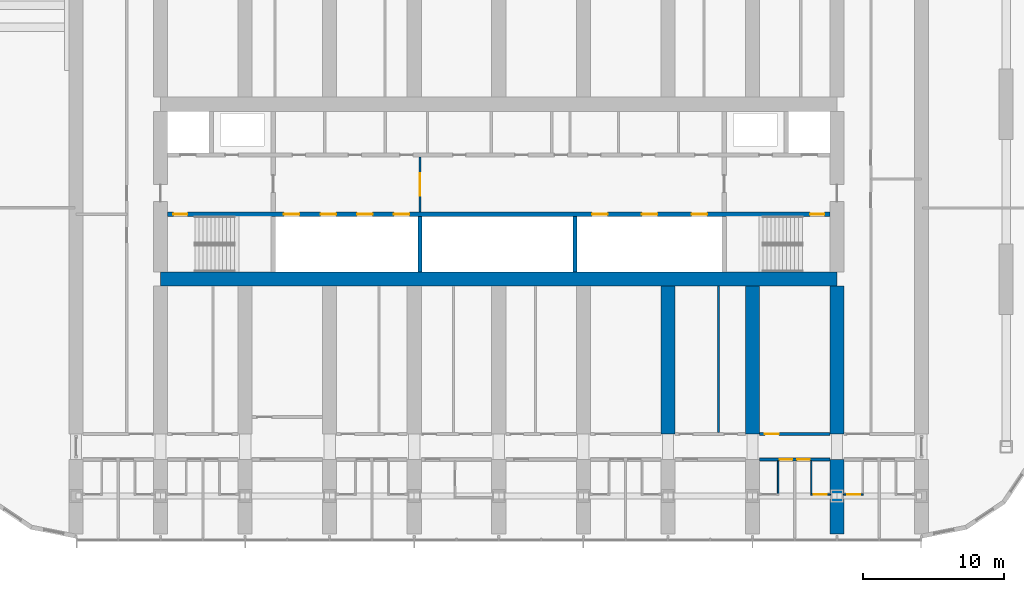
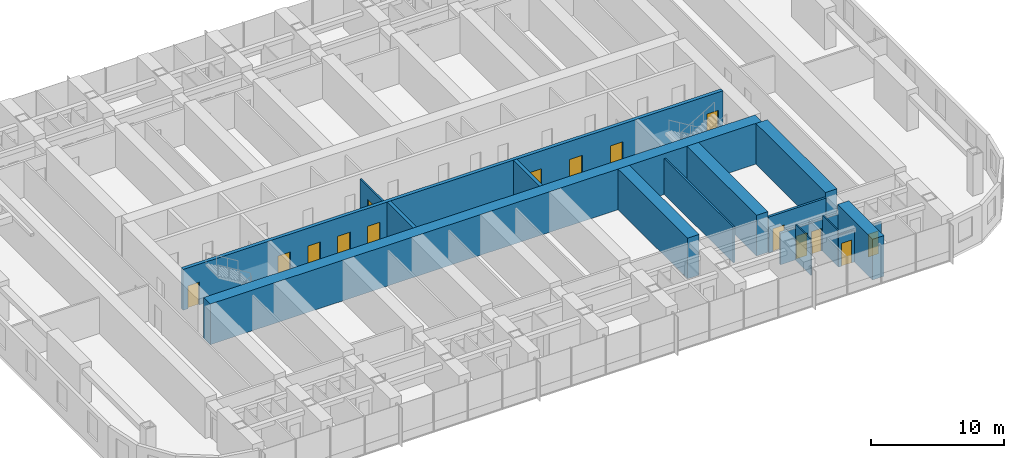
# One storey, part 13 of 24: 16 walls, 15 doors, 15 openings.
"""IFC4 building model written with IfcOpenShell, lengths in metres."""

from ifc_helpers import new_model, si_unit, direction, frame, frame_2d, origin, place, context, subcontext, project, spatial, polyline, rectangle, outline, extrude, material, layer, layer_set, type_object, element, fill, save


model = new_model("IFC4")

# Units and contexts
model_context = context("Model", 3, precision=1e-05, world=origin(), true_north=direction((0.0, 1.0)))
body_context = subcontext(model_context, "Body", "Model", "MODEL_VIEW")
ifc_project = project(units=[si_unit("LENGTHUNIT", "METRE"), si_unit("AREAUNIT", "SQUARE_METRE"), si_unit("VOLUMEUNIT", "CUBIC_METRE"), si_unit("PLANEANGLEUNIT", "RADIAN"), si_unit("MASSUNIT", "GRAM", prefix="KILO")], contexts=[model_context])

# Site, building, storey
site_placement = place(None, origin())
site = spatial("IfcSite", under=ifc_project, at=site_placement, CompositionType="ELEMENT")
building_placement = place(site_placement, origin())
building = spatial("IfcBuilding", under=site, at=building_placement, Name="Orbita Commons", CompositionType="ELEMENT")
storey_placement = place(building_placement, frame((0.0, 0.0, 20.199951171875)))
storey = spatial("IfcBuildingStorey", under=building, at=storey_placement, Name="L04", CompositionType="ELEMENT", Elevation=20.199951171875)

# Wall, openings, doors
ifc_material_1 = material(Name="Concrete C50/60", Category="concrete")
ifc_layer_1 = layer(ifc_material_1, 0.300048828125)
ifc_layer_set_1 = layer_set([ifc_layer_1], Name="Concrete C50/60")
wall_type_1 = type_object("IfcWallType", Name="Core inner wall 300 C50/60", PredefinedType="SHEAR", material=ifc_layer_set_1)
wall_1_placement = place(storey_placement, frame((18.5, 30.39990234375, 0.0), z_axis=(0.0, 0.0, 1.0), x_axis=(1.0, 0.0, 0.0)))
wall_1 = element("IfcWall", 1, at=wall_1_placement, inside=storey, type_object=wall_type_1, Name="Lobby wall south L04", PredefinedType="SHEAR", context=body_context, shape_type="SweptSolid", body=[
    extrude(rectangle(XDim=47.0, YDim=0.300048828125, at=frame_2d((23.5, 0.0))), origin(), (0.0, 0.0, 1.0), 3.75),
])
opening_1_placement = place(wall_1_placement, frame((0.39990234375, 0.0, 0.0)))
opening_1 = element("IfcOpeningElement", 2, at=opening_1_placement, cuts=wall_1, Name="Opening D02", PredefinedType="OPENING", context=body_context, shape_type="SweptSolid", body=[
    extrude(rectangle(XDim=1.0, YDim=2.10009765625, at=frame_2d((0.5, 1.050048828125))), frame((0.0, 0.159912109375, 0.0), z_axis=(0.0, -1.0, 0.0), x_axis=(1.0, 0.0, 0.0)), (0.0, 0.0, 1.0), 0.320068359375),
])
opening_2_placement = place(wall_1_placement, frame((45.60009765625, 0.0, 0.0)))
opening_2 = element("IfcOpeningElement", 3, at=opening_2_placement, cuts=wall_1, Name="Opening D02", PredefinedType="OPENING", context=body_context, shape_type="SweptSolid", body=[
    extrude(rectangle(XDim=1.0, YDim=2.10009765625, at=frame_2d((0.5, 1.050048828125))), frame((0.0, 0.159912109375, 0.0), z_axis=(0.0, -1.0, 0.0), x_axis=(1.0, 0.0, 0.0)), (0.0, 0.0, 1.0), 0.320068359375),
])
opening_3_placement = place(wall_1_placement, frame((8.25, 0.0, 0.0)))
opening_3 = element("IfcOpeningElement", 4, at=opening_3_placement, cuts=wall_1, Name="Opening LD02", PredefinedType="OPENING", context=body_context, shape_type="SweptSolid", body=[
    extrude(rectangle(XDim=1.10009765625, YDim=2.10009765625, at=frame_2d((0.550048828125, 1.050048828125))), frame((0.0, 0.159912109375, 0.0), z_axis=(0.0, -1.0, 0.0), x_axis=(1.0, 0.0, 0.0)), (0.0, 0.0, 1.0), 0.320068359375),
])
opening_4_placement = place(wall_1_placement, frame((10.85009765625, 0.0, 0.0)))
opening_4 = element("IfcOpeningElement", 5, at=opening_4_placement, cuts=wall_1, Name="Opening LD02", PredefinedType="OPENING", context=body_context, shape_type="SweptSolid", body=[
    extrude(rectangle(XDim=1.10009765625, YDim=2.10009765625, at=frame_2d((0.550048828125, 1.050048828125))), frame((0.0, 0.159912109375, 0.0), z_axis=(0.0, -1.0, 0.0), x_axis=(1.0, 0.0, 0.0)), (0.0, 0.0, 1.0), 0.320068359375),
])
opening_5_placement = place(wall_1_placement, frame((13.449951171875, 0.0, 0.0)))
opening_5 = element("IfcOpeningElement", 6, at=opening_5_placement, cuts=wall_1, Name="Opening LD02", PredefinedType="OPENING", context=body_context, shape_type="SweptSolid", body=[
    extrude(rectangle(XDim=1.10009765625, YDim=2.10009765625, at=frame_2d((0.550048828125, 1.050048828125))), frame((0.0, 0.159912109375, 0.0), z_axis=(0.0, -1.0, 0.0), x_axis=(1.0, 0.0, 0.0)), (0.0, 0.0, 1.0), 0.320068359375),
])
opening_6_placement = place(wall_1_placement, frame((16.050048828125, 0.0, 0.0)))
opening_6 = element("IfcOpeningElement", 7, at=opening_6_placement, cuts=wall_1, Name="Opening LD02", PredefinedType="OPENING", context=body_context, shape_type="SweptSolid", body=[
    extrude(rectangle(XDim=1.10009765625, YDim=2.10009765625, at=frame_2d((0.550048828125, 1.050048828125))), frame((0.0, 0.159912109375, 0.0), z_axis=(0.0, -1.0, 0.0), x_axis=(1.0, 0.0, 0.0)), (0.0, 0.0, 1.0), 0.320068359375),
])
opening_7_placement = place(wall_1_placement, frame((30.11669921875, 0.0, 0.0)))
opening_7 = element("IfcOpeningElement", 8, at=opening_7_placement, cuts=wall_1, Name="Opening LD02", PredefinedType="OPENING", context=body_context, shape_type="SweptSolid", body=[
    extrude(rectangle(XDim=1.10009765625, YDim=2.10009765625, at=frame_2d((0.550048828125, 1.050048828125))), frame((0.0, 0.159912109375, 0.0), z_axis=(0.0, -1.0, 0.0), x_axis=(1.0, 0.0, 0.0)), (0.0, 0.0, 1.0), 0.320068359375),
])
opening_8_placement = place(wall_1_placement, frame((33.64990234375, 0.0, 0.0)))
opening_8 = element("IfcOpeningElement", 9, at=opening_8_placement, cuts=wall_1, Name="Opening LD02", PredefinedType="OPENING", context=body_context, shape_type="SweptSolid", body=[
    extrude(rectangle(XDim=1.10009765625, YDim=2.10009765625, at=frame_2d((0.550048828125, 1.050048828125))), frame((0.0, 0.159912109375, 0.0), z_axis=(0.0, -1.0, 0.0), x_axis=(1.0, 0.0, 0.0)), (0.0, 0.0, 1.0), 0.320068359375),
])
opening_9_placement = place(wall_1_placement, frame((37.183349609375, 0.0, 0.0)))
opening_9 = element("IfcOpeningElement", 10, at=opening_9_placement, cuts=wall_1, Name="Opening LD02", PredefinedType="OPENING", context=body_context, shape_type="SweptSolid", body=[
    extrude(rectangle(XDim=1.10009765625, YDim=2.10009765625, at=frame_2d((0.550048828125, 1.050048828125))), frame((0.0, 0.159912109375, 0.0), z_axis=(0.0, -1.0, 0.0), x_axis=(1.0, 0.0, 0.0)), (0.0, 0.0, 1.0), 0.320068359375),
])
ifc_material_2 = material(Name="Steel-faced fire door leaf", Category="steel")
door_type_1 = type_object("IfcDoorType", Name="Fire door 90 min 1000x2100", OperationType="SINGLE_SWING_LEFT", PredefinedType="DOOR", material=ifc_material_2)
door_1_placement = place(opening_1_placement, origin())
door_1 = element("IfcDoor", 11, at=door_1_placement, inside=storey, type_object=door_type_1, Name="Stair S1 door", OperationType="SINGLE_SWING_LEFT", OverallHeight=2.10009765625, OverallWidth=1.0, PredefinedType="DOOR", context=body_context, shape_type="SweptSolid", body=[
    extrude(rectangle(XDim=1.0, YDim=2.10009765625, at=frame_2d((0.5, 1.050048828125))), frame((0.0, 0.02490234375, 0.0), z_axis=(0.0, -1.0, 0.0), x_axis=(1.0, 0.0, 0.0)), (0.0, 0.0, 1.0), 0.050048828125),
])
fill(opening_1, door_1)
door_2_placement = place(opening_2_placement, origin())
door_2 = element("IfcDoor", 12, at=door_2_placement, inside=storey, type_object=door_type_1, Name="Stair S2 door", OperationType="SINGLE_SWING_LEFT", OverallHeight=2.10009765625, OverallWidth=1.0, PredefinedType="DOOR", context=body_context, shape_type="SweptSolid", body=[
    extrude(rectangle(XDim=1.0, YDim=2.10009765625, at=frame_2d((0.5, 1.050048828125))), frame((0.0, 0.02490234375, 0.0), z_axis=(0.0, -1.0, 0.0), x_axis=(1.0, 0.0, 0.0)), (0.0, 0.0, 1.0), 0.050048828125),
])
fill(opening_2, door_2)
ifc_material_3 = material(Name="Steel-faced fire door leaf", Category="steel")
door_type_2 = type_object("IfcDoorType", Name="Lift landing door 1100x2100", OperationType="DOUBLE_DOOR_SLIDING", PredefinedType="DOOR", material=ifc_material_3)
door_3_placement = place(opening_3_placement, origin())
door_3 = element("IfcDoor", 13, at=door_3_placement, inside=storey, type_object=door_type_2, Name="Lift P11 landing door", OperationType="DOUBLE_DOOR_SLIDING", OverallHeight=2.10009765625, OverallWidth=1.10009765625, PredefinedType="DOOR", context=body_context, shape_type="SweptSolid", body=[
    extrude(rectangle(XDim=1.10009765625, YDim=2.10009765625, at=frame_2d((0.550048828125, 1.050048828125))), frame((0.0, 0.02490234375, 0.0), z_axis=(0.0, -1.0, 0.0), x_axis=(1.0, 0.0, 0.0)), (0.0, 0.0, 1.0), 0.050048828125),
])
fill(opening_3, door_3)
door_4_placement = place(opening_4_placement, origin())
door_4 = element("IfcDoor", 14, at=door_4_placement, inside=storey, type_object=door_type_2, Name="Lift P12 landing door", OperationType="DOUBLE_DOOR_SLIDING", OverallHeight=2.10009765625, OverallWidth=1.10009765625, PredefinedType="DOOR", context=body_context, shape_type="SweptSolid", body=[
    extrude(rectangle(XDim=1.10009765625, YDim=2.10009765625, at=frame_2d((0.550048828125, 1.050048828125))), frame((0.0, 0.02490234375, 0.0), z_axis=(0.0, -1.0, 0.0), x_axis=(1.0, 0.0, 0.0)), (0.0, 0.0, 1.0), 0.050048828125),
])
fill(opening_4, door_4)
door_5_placement = place(opening_5_placement, origin())
door_5 = element("IfcDoor", 15, at=door_5_placement, inside=storey, type_object=door_type_2, Name="Lift P13 landing door", OperationType="DOUBLE_DOOR_SLIDING", OverallHeight=2.10009765625, OverallWidth=1.10009765625, PredefinedType="DOOR", context=body_context, shape_type="SweptSolid", body=[
    extrude(rectangle(XDim=1.10009765625, YDim=2.10009765625, at=frame_2d((0.550048828125, 1.050048828125))), frame((0.0, 0.02490234375, 0.0), z_axis=(0.0, -1.0, 0.0), x_axis=(1.0, 0.0, 0.0)), (0.0, 0.0, 1.0), 0.050048828125),
])
fill(opening_5, door_5)
door_6_placement = place(opening_6_placement, origin())
door_6 = element("IfcDoor", 16, at=door_6_placement, inside=storey, type_object=door_type_2, Name="Lift P14 landing door", OperationType="DOUBLE_DOOR_SLIDING", OverallHeight=2.10009765625, OverallWidth=1.10009765625, PredefinedType="DOOR", context=body_context, shape_type="SweptSolid", body=[
    extrude(rectangle(XDim=1.10009765625, YDim=2.10009765625, at=frame_2d((0.550048828125, 1.050048828125))), frame((0.0, 0.02490234375, 0.0), z_axis=(0.0, -1.0, 0.0), x_axis=(1.0, 0.0, 0.0)), (0.0, 0.0, 1.0), 0.050048828125),
])
fill(opening_6, door_6)
door_7_placement = place(opening_7_placement, origin())
door_7 = element("IfcDoor", 17, at=door_7_placement, inside=storey, type_object=door_type_2, Name="Lift SV1 landing door", OperationType="DOUBLE_DOOR_SLIDING", OverallHeight=2.10009765625, OverallWidth=1.10009765625, PredefinedType="DOOR", context=body_context, shape_type="SweptSolid", body=[
    extrude(rectangle(XDim=1.10009765625, YDim=2.10009765625, at=frame_2d((0.550048828125, 1.050048828125))), frame((0.0, 0.02490234375, 0.0), z_axis=(0.0, -1.0, 0.0), x_axis=(1.0, 0.0, 0.0)), (0.0, 0.0, 1.0), 0.050048828125),
])
fill(opening_7, door_7)
door_8_placement = place(opening_8_placement, origin())
door_8 = element("IfcDoor", 18, at=door_8_placement, inside=storey, type_object=door_type_2, Name="Lift SV2 landing door", OperationType="DOUBLE_DOOR_SLIDING", OverallHeight=2.10009765625, OverallWidth=1.10009765625, PredefinedType="DOOR", context=body_context, shape_type="SweptSolid", body=[
    extrude(rectangle(XDim=1.10009765625, YDim=2.10009765625, at=frame_2d((0.550048828125, 1.050048828125))), frame((0.0, 0.02490234375, 0.0), z_axis=(0.0, -1.0, 0.0), x_axis=(1.0, 0.0, 0.0)), (0.0, 0.0, 1.0), 0.050048828125),
])
fill(opening_8, door_8)
door_9_placement = place(opening_9_placement, origin())
door_9 = element("IfcDoor", 19, at=door_9_placement, inside=storey, type_object=door_type_2, Name="Lift SV3 landing door", OperationType="DOUBLE_DOOR_SLIDING", OverallHeight=2.10009765625, OverallWidth=1.10009765625, PredefinedType="DOOR", context=body_context, shape_type="SweptSolid", body=[
    extrude(rectangle(XDim=1.10009765625, YDim=2.10009765625, at=frame_2d((0.550048828125, 1.050048828125))), frame((0.0, 0.02490234375, 0.0), z_axis=(0.0, -1.0, 0.0), x_axis=(1.0, 0.0, 0.0)), (0.0, 0.0, 1.0), 0.050048828125),
])
fill(opening_9, door_9)

# Walls
for number, where, z_axis, x_axis, name in (
    (20, (36.39990234375, 26.300048828125, 0.0), (0.0, 0.0, 1.0), (0.0, 1.0, 0.0), "Hoistway division wall L04"),
    (21, (47.39990234375, 26.300048828125, 0.0), (0.0, 0.0, 1.0), (0.0, 1.0, 0.0), "Hoistway division wall L04"),
):
    element("IfcWall", number, at=place(storey_placement, frame(where, z_axis=z_axis, x_axis=x_axis)), inside=storey, type_object=wall_type_1, Name=name, PredefinedType="SHEAR", context=body_context, shape_type="SweptSolid", body=[
        extrude(rectangle(XDim=3.949951171875, YDim=0.300048828125, at=frame_2d((1.97509765625, 0.0))), origin(), (0.0, 0.0, 1.0), 3.75),
    ])

# Wall, opening, door
ifc_material_4 = material(Name="Concrete blockwork", Category="masonry")
ifc_layer_2 = layer(ifc_material_4, 0.14990234375)
ifc_layer_set_2 = layer_set([ifc_layer_2], Name="Concrete blockwork")
wall_type_2 = type_object("IfcWallType", Name="Core partition 150 blockwork", PredefinedType="SOLIDWALL", material=ifc_layer_set_2)
wall_2_placement = place(storey_placement, frame((36.39990234375, 30.550048828125, 0.0), z_axis=(0.0, 0.0, 1.0), x_axis=(0.0, 1.0, 0.0)))
wall_2 = element("IfcWall", 22, at=wall_2_placement, inside=storey, type_object=wall_type_2, Name="Core partition 150 blockwork L04", PredefinedType="SOLIDWALL", context=body_context, shape_type="SweptSolid", body=[
    extrude(rectangle(XDim=3.89990234375, YDim=0.14990234375, at=frame_2d((1.949951171875, 0.0))), origin(), (0.0, 0.0, 1.0), 3.300048828125),
])
opening_10_placement = place(wall_2_placement, frame((1.14990234375, 0.0, 0.0)))
opening_10 = element("IfcOpeningElement", 23, at=opening_10_placement, cuts=wall_2, Name="Opening D10", PredefinedType="OPENING", context=body_context, shape_type="SweptSolid", body=[
    extrude(rectangle(XDim=1.60009765625, YDim=2.10009765625, at=frame_2d((0.800048828125, 1.050048828125))), frame((0.0, 0.0849609375, 0.0), z_axis=(0.0, -1.0, 0.0), x_axis=(1.0, 0.0, 0.0)), (0.0, 0.0, 1.0), 0.169921875),
])
ifc_material_5 = material(Name="Steel-faced fire door leaf", Category="steel")
door_type_3 = type_object("IfcDoorType", Name="Double corridor door 20 min 1600x2100", OperationType="DOUBLE_DOOR_SINGLE_SWING", PredefinedType="DOOR", material=ifc_material_5)
door_10_placement = place(opening_10_placement, origin())
door_10 = element("IfcDoor", 24, at=door_10_placement, inside=storey, type_object=door_type_3, Name="Lift lobby screen doors", OperationType="DOUBLE_DOOR_SINGLE_SWING", OverallHeight=2.10009765625, OverallWidth=1.60009765625, PredefinedType="DOOR", context=body_context, shape_type="SweptSolid", body=[
    extrude(rectangle(XDim=1.60009765625, YDim=2.10009765625, at=frame_2d((0.800048828125, 1.050048828125))), frame((0.0, 0.02490234375, 0.0), z_axis=(0.0, -1.0, 0.0), x_axis=(1.0, 0.0, 0.0)), (0.0, 0.0, 1.0), 0.050048828125),
])
fill(opening_10, door_10)

# Wall
ifc_material_6 = material(Name="Concrete C50/60", Category="concrete")
ifc_layer_3 = layer(ifc_material_6, 1.0)
ifc_layer_set_3 = layer_set([ifc_layer_3], Name="Concrete C50/60")
wall_type_3 = type_object("IfcWallType", Name="Core wall 1000 C50/60", PredefinedType="SHEAR", material=ifc_layer_set_3)
wall_3_placement = place(storey_placement, frame((18.0, 25.800048828125, 0.0), z_axis=(0.0, 0.0, 1.0), x_axis=(1.0, 0.0, 0.0)))
element("IfcWall", 25, at=wall_3_placement, inside=storey, type_object=wall_type_3, Name="Core spine wall south L04", PredefinedType="SHEAR", context=body_context, shape_type="SweptSolid", body=[
    extrude(rectangle(XDim=48.0, YDim=1.0, at=frame_2d((24.0, 0.0))), origin(), (0.0, 0.0, 1.0), 3.75),
])

# Wall, openings, doors
ifc_material_7 = material(Name="Concrete blockwork", Category="masonry")
ifc_layer_4 = layer(ifc_material_7, 0.199951171875)
ifc_layer_set_4 = layer_set([ifc_layer_4], Name="Concrete blockwork")
wall_type_4 = type_object("IfcWallType", Name="Corridor wall 200 blockwork", PredefinedType="SOLIDWALL", material=ifc_layer_set_4)
wall_4_placement = place(storey_placement, frame((60.5, 13.0, 0.0), z_axis=(0.0, 0.0, 1.0), x_axis=(1.0, 0.0, 0.0)))
wall_4 = element("IfcWall", 26, at=wall_4_placement, inside=storey, type_object=wall_type_4, Name="Corridor wall 200 blockwork L04", PredefinedType="SOLIDWALL", context=body_context, shape_type="SweptSolid", body=[
    extrude(outline(polyline([(0.0, 0.0), (5.0, 0.0), (5.0, 2.900146484375), (0.0, 2.900146484375), (0.0, 0.0)])), frame((0.0, 0.10009765625, 0.0), z_axis=(0.0, -1.0, 0.0), x_axis=(1.0, 0.0, 0.0)), (0.0, 0.0, 1.0), 0.199951171875),
])
opening_11_placement = place(wall_4_placement, frame((1.425048828125, 0.0, 0.0)))
opening_11 = element("IfcOpeningElement", 27, at=opening_11_placement, cuts=wall_4, Name="Opening D11", PredefinedType="OPENING", context=body_context, shape_type="SweptSolid", body=[
    extrude(rectangle(XDim=0.89990234375, YDim=2.10009765625, at=frame_2d((0.449951171875, 1.050048828125))), frame((0.0, 0.10986328125, 0.0), z_axis=(0.0, -1.0, 0.0), x_axis=(1.0, 0.0, 0.0)), (0.0, 0.0, 1.0), 0.219970703125),
])
opening_12_placement = place(wall_4_placement, frame((2.675048828125, 0.0, 0.0)))
opening_12 = element("IfcOpeningElement", 28, at=opening_12_placement, cuts=wall_4, Name="Opening D11", PredefinedType="OPENING", context=body_context, shape_type="SweptSolid", body=[
    extrude(rectangle(XDim=0.89990234375, YDim=2.10009765625, at=frame_2d((0.449951171875, 1.050048828125))), frame((0.0, 0.10986328125, 0.0), z_axis=(0.0, -1.0, 0.0), x_axis=(1.0, 0.0, 0.0)), (0.0, 0.0, 1.0), 0.219970703125),
])
ifc_material_8 = material(Name="Steel-faced fire door leaf", Category="steel")
door_type_4 = type_object("IfcDoorType", Name="Corridor door 20 min 900x2100", OperationType="SINGLE_SWING_LEFT", PredefinedType="DOOR", material=ifc_material_8)
door_11_placement = place(opening_11_placement, origin())
door_11 = element("IfcDoor", 29, at=door_11_placement, inside=storey, type_object=door_type_4, Name="House bedroom L04-S16 door", OperationType="SINGLE_SWING_LEFT", OverallHeight=2.10009765625, OverallWidth=0.89990234375, PredefinedType="DOOR", context=body_context, shape_type="SweptSolid", body=[
    extrude(rectangle(XDim=0.89990234375, YDim=2.10009765625, at=frame_2d((0.449951171875, 1.050048828125))), frame((0.0, 0.02490234375, 0.0), z_axis=(0.0, -1.0, 0.0), x_axis=(1.0, 0.0, 0.0)), (0.0, 0.0, 1.0), 0.050048828125),
])
fill(opening_11, door_11)
door_12_placement = place(opening_12_placement, origin())
door_12 = element("IfcDoor", 30, at=door_12_placement, inside=storey, type_object=door_type_4, Name="House bedroom L04-S17 door", OperationType="SINGLE_SWING_LEFT", OverallHeight=2.10009765625, OverallWidth=0.89990234375, PredefinedType="DOOR", context=body_context, shape_type="SweptSolid", body=[
    extrude(rectangle(XDim=0.89990234375, YDim=2.10009765625, at=frame_2d((0.449951171875, 1.050048828125))), frame((0.0, 0.02490234375, 0.0), z_axis=(0.0, -1.0, 0.0), x_axis=(1.0, 0.0, 0.0)), (0.0, 0.0, 1.0), 0.050048828125),
])
fill(opening_12, door_12)

# Wall, opening, door
ifc_material_9 = material(Name="Hollow concrete block 200", Category="concrete")
ifc_layer_5 = layer(ifc_material_9, 0.199951171875)
ifc_layer_set_5 = layer_set([ifc_layer_5], Name="Hollow concrete block 200")
wall_type_5 = type_object("IfcWallType", Name="Corridor wall 200 hollow concrete block", PredefinedType="SOLIDWALL", material=ifc_layer_set_5)
wall_5_placement = place(storey_placement, frame((60.5, 14.800048828125, 0.0), z_axis=(0.0, 0.0, 1.0), x_axis=(1.0, 0.0, 0.0)))
wall_5 = element("IfcWall", 31, at=wall_5_placement, inside=storey, type_object=wall_type_5, Name="Corridor wall 200 hollow concrete block L04", PredefinedType="SOLIDWALL", context=body_context, shape_type="SweptSolid", body=[
    extrude(rectangle(XDim=5.0, YDim=0.199951171875, at=frame_2d((2.5, 0.0))), origin(), (0.0, 0.0, 1.0), 3.300048828125),
])
opening_13_placement = place(wall_5_placement, frame((0.375, 0.0, 0.0)))
opening_13 = element("IfcOpeningElement", 32, at=opening_13_placement, cuts=wall_5, Name="Opening D06", PredefinedType="OPENING", context=body_context, shape_type="SweptSolid", body=[
    extrude(rectangle(XDim=1.0, YDim=2.10009765625, at=frame_2d((0.5, 1.050048828125))), frame((0.0, 0.10986328125, 0.0), z_axis=(0.0, -1.0, 0.0), x_axis=(1.0, 0.0, 0.0)), (0.0, 0.0, 1.0), 0.219970703125),
])
ifc_material_10 = material(Name="Steel-faced fire door leaf", Category="steel")
door_type_5 = type_object("IfcDoorType", Name="Corridor door 20 min 1000x2100", OperationType="SINGLE_SWING_LEFT", PredefinedType="DOOR", material=ifc_material_10)
door_13_placement = place(opening_13_placement, origin())
door_13 = element("IfcDoor", 33, at=door_13_placement, inside=storey, type_object=door_type_5, Name="Storage lockers L04-BDS60 door", OperationType="SINGLE_SWING_LEFT", OverallHeight=2.10009765625, OverallWidth=1.0, PredefinedType="DOOR", context=body_context, shape_type="SweptSolid", body=[
    extrude(rectangle(XDim=1.0, YDim=2.10009765625, at=frame_2d((0.5, 1.050048828125))), frame((0.0, 0.02490234375, 0.0), z_axis=(0.0, -1.0, 0.0), x_axis=(1.0, 0.0, 0.0)), (0.0, 0.0, 1.0), 0.050048828125),
])
fill(opening_13, door_13)

# Walls
ifc_material_11 = material(Name="Concrete C50/60", Category="concrete")
ifc_layer_6 = layer(ifc_material_11, 1.0)
ifc_layer_set_6 = layer_set([ifc_layer_6], Name="Concrete C50/60")
wall_type_6 = type_object("IfcWallType", Name="Cross wall 1000 C50/60", PredefinedType="SHEAR", material=ifc_layer_set_6)
for number, where, z_axis, x_axis, name in (
    (34, (54.0, 14.800048828125, 0.0), (0.0, 0.0, 1.0), (0.0, 1.0, 0.0), "Cross wall 10 south inner L04"),
    (35, (60.0, 14.800048828125, 0.0), (0.0, 0.0, 1.0), (0.0, 1.0, 0.0), "Cross wall 11 south inner L04"),
):
    element("IfcWall", number, at=place(storey_placement, frame(where, z_axis=z_axis, x_axis=x_axis)), inside=storey, type_object=wall_type_6, Name=name, PredefinedType="SHEAR", context=body_context, shape_type="SweptSolid", body=[
        extrude(rectangle(XDim=10.5, YDim=1.0, at=frame_2d((5.25, 0.0))), origin(), (0.0, 0.0, 1.0), 3.75),
    ])
wall_6_placement = place(storey_placement, frame((66.0, 7.699951171875, 0.0), z_axis=(0.0, 0.0, 1.0), x_axis=(0.0, 1.0, 0.0)))
element("IfcWall", 36, at=wall_6_placement, inside=storey, type_object=wall_type_6, Name="Cross wall 12 south outer L04", PredefinedType="SHEAR", context=body_context, shape_type="SweptSolid", body=[
    extrude(rectangle(XDim=5.300048828125, YDim=1.0, at=frame_2d((2.64990234375, 0.0))), origin(), (0.0, 0.0, 1.0), 3.75),
])
wall_7_placement = place(storey_placement, frame((66.0, 14.800048828125, 0.0), z_axis=(0.0, 0.0, 1.0), x_axis=(0.0, 1.0, 0.0)))
element("IfcWall", 37, at=wall_7_placement, inside=storey, type_object=wall_type_6, Name="Cross wall 12 south inner L04", PredefinedType="SHEAR", context=body_context, shape_type="SweptSolid", body=[
    extrude(rectangle(XDim=10.5, YDim=1.0, at=frame_2d((5.25, 0.0))), origin(), (0.0, 0.0, 1.0), 3.75),
])
ifc_material_12 = material(Name="Moisture-resistant plasterboard on steel studs", Category="steel")
ifc_layer_7 = layer(ifc_material_12, 0.10009765625)
ifc_layer_set_7 = layer_set([ifc_layer_7], Name="Moisture-resistant plasterboard on steel studs")
wall_type_7 = type_object("IfcWallType", Name="En-suite partition 100", PredefinedType="PARTITIONING", material=ifc_layer_set_7)
wall_8_placement = place(storey_placement, frame((61.824951171875, 10.550048828125, 0.0), z_axis=(0.0, 0.0, 1.0), x_axis=(0.0, 1.0, 0.0)))
element("IfcWall", 38, at=wall_8_placement, inside=storey, type_object=wall_type_7, Name="En-suite partition 100 L04", PredefinedType="PARTITIONING", context=body_context, shape_type="SweptSolid", body=[
    extrude(outline(polyline([(0.0, 0.0), (2.349853515625, 0.0), (2.35009765625, 2.900146484375), (2.302001953125, 2.900146484375), (2.300048828125, 3.300048828125), (0.052001953125, 3.300048828125), (0.050048828125, 2.900146484375), (0.0, 2.900146484375), (0.0, 0.0)])), frame((0.0, 0.050048828125, 0.0), z_axis=(0.0, -1.0, 0.0), x_axis=(1.0, 0.0, 0.0)), (0.0, 0.0, 1.0), 0.10009765625),
])

# Wall, opening, door
wall_9_placement = place(storey_placement, frame((65.550048828125, 10.5, 0.0), z_axis=(0.0, 0.0, 1.0), x_axis=(-1.0, 0.0, 0.0)))
wall_9 = element("IfcWall", 39, at=wall_9_placement, inside=storey, type_object=wall_type_7, Name="En-suite partition 100 L04", PredefinedType="PARTITIONING", context=body_context, shape_type="SweptSolid", body=[
    extrude(outline(polyline([(0.0, 0.0), (1.425048828125, 0.0), (1.425048828125, 2.900146484375), (0.0, 2.900146484375), (0.0, 0.0)])), frame((0.0, 0.050048828125, 0.0), z_axis=(0.0, -1.0, 0.0), x_axis=(1.0, 0.0, 0.0)), (0.0, 0.0, 1.0), 0.10009765625),
])
opening_14_placement = place(wall_9_placement, frame((0.28759765625, 0.0, 0.0)))
opening_14 = element("IfcOpeningElement", 40, at=opening_14_placement, cuts=wall_9, Name="Opening D09", PredefinedType="OPENING", context=body_context, shape_type="SweptSolid", body=[
    extrude(rectangle(XDim=0.89990234375, YDim=2.10009765625, at=frame_2d((0.449951171875, 1.050048828125))), frame((0.0, 0.06005859375, 0.0), z_axis=(0.0, -1.0, 0.0), x_axis=(1.0, 0.0, 0.0)), (0.0, 0.0, 1.0), 0.1201171875),
])
ifc_material_13 = material(Name="Laminated timber door leaf", Category="wood")
door_type_6 = type_object("IfcDoorType", Name="En-suite door 900x2100", OperationType="SINGLE_SWING_RIGHT", PredefinedType="DOOR", material=ifc_material_13)
door_14_placement = place(opening_14_placement, origin())
door_14 = element("IfcDoor", 41, at=door_14_placement, inside=storey, type_object=door_type_6, Name="En-suite L04-S17 door", OperationType="SINGLE_SWING_RIGHT", OverallHeight=2.10009765625, OverallWidth=0.89990234375, PredefinedType="DOOR", context=body_context, shape_type="SweptSolid", body=[
    extrude(rectangle(XDim=0.89990234375, YDim=2.10009765625, at=frame_2d((0.449951171875, 1.050048828125))), frame((0.0, 0.02490234375, 0.0), z_axis=(0.0, -1.0, 0.0), x_axis=(1.0, 0.0, 0.0)), (0.0, 0.0, 1.0), 0.050048828125),
])
fill(opening_14, door_14)

# Wall
wall_10_placement = place(storey_placement, frame((64.175048828125, 10.550048828125, 0.0), z_axis=(0.0, 0.0, 1.0), x_axis=(0.0, 1.0, 0.0)))
element("IfcWall", 42, at=wall_10_placement, inside=storey, type_object=wall_type_7, Name="En-suite partition 100 L04", PredefinedType="PARTITIONING", context=body_context, shape_type="SweptSolid", body=[
    extrude(outline(polyline([(0.0, 0.0), (2.349853515625, 0.0), (2.35009765625, 2.900146484375), (2.302001953125, 2.900146484375), (2.300048828125, 3.300048828125), (0.052001953125, 3.300048828125), (0.050048828125, 2.900146484375), (0.0, 2.900146484375), (0.0, 0.0)])), frame((0.0, 0.050048828125, 0.0), z_axis=(0.0, -1.0, 0.0), x_axis=(1.0, 0.0, 0.0)), (0.0, 0.0, 1.0), 0.10009765625),
])

# Wall, opening, door
wall_11_placement = place(storey_placement, frame((67.875, 10.5, 0.0), z_axis=(0.0, 0.0, 1.0), x_axis=(-1.0, 0.0, 0.0)))
wall_11 = element("IfcWall", 43, at=wall_11_placement, inside=storey, type_object=wall_type_7, Name="En-suite partition 100 L04", PredefinedType="PARTITIONING", context=body_context, shape_type="SweptSolid", body=[
    extrude(outline(polyline([(0.0, 0.0), (1.425048828125, 0.0), (1.425048828125, 2.900146484375), (0.0, 2.900146484375), (0.0, 0.0)])), frame((0.0, 0.050048828125, 0.0), z_axis=(0.0, -1.0, 0.0), x_axis=(1.0, 0.0, 0.0)), (0.0, 0.0, 1.0), 0.10009765625),
])
opening_15_placement = place(wall_11_placement, frame((0.237548828125, 0.0, 0.0)))
opening_15 = element("IfcOpeningElement", 44, at=opening_15_placement, cuts=wall_11, Name="Opening D09", PredefinedType="OPENING", context=body_context, shape_type="SweptSolid", body=[
    extrude(rectangle(XDim=0.89990234375, YDim=2.10009765625, at=frame_2d((0.449951171875, 1.050048828125))), frame((0.0, 0.06005859375, 0.0), z_axis=(0.0, -1.0, 0.0), x_axis=(1.0, 0.0, 0.0)), (0.0, 0.0, 1.0), 0.1201171875),
])
door_15_placement = place(opening_15_placement, origin())
door_15 = element("IfcDoor", 45, at=door_15_placement, inside=storey, type_object=door_type_6, Name="En-suite L04-S18 door", OperationType="SINGLE_SWING_RIGHT", OverallHeight=2.10009765625, OverallWidth=0.89990234375, PredefinedType="DOOR", context=body_context, shape_type="SweptSolid", body=[
    extrude(rectangle(XDim=0.89990234375, YDim=2.10009765625, at=frame_2d((0.449951171875, 1.050048828125))), frame((0.0, 0.02490234375, 0.0), z_axis=(0.0, -1.0, 0.0), x_axis=(1.0, 0.0, 0.0)), (0.0, 0.0, 1.0), 0.050048828125),
])
fill(opening_15, door_15)

# Wall
ifc_material_14 = material(Name="Gypsum plasterboard on steel studs", Category="steel")
ifc_layer_8 = layer(ifc_material_14, 0.14990234375)
ifc_layer_set_8 = layer_set([ifc_layer_8], Name="Gypsum plasterboard on steel studs")
wall_type_8 = type_object("IfcWallType", Name="Partition 150 plasterboard", PredefinedType="PARTITIONING", material=ifc_layer_set_8)
wall_12_placement = place(storey_placement, frame((57.60009765625, 14.89990234375, 0.0), z_axis=(0.0, 0.0, 1.0), x_axis=(0.0, 1.0, 0.0)))
element("IfcWall", 46, at=wall_12_placement, inside=storey, type_object=wall_type_8, Name="Partition 150 plasterboard L04", PredefinedType="PARTITIONING", context=body_context, shape_type="SweptSolid", body=[
    extrude(rectangle(XDim=10.400146484375, YDim=0.14990234375, at=frame_2d((5.2001953125, 0.0))), origin(), (0.0, 0.0, 1.0), 3.300048828125),
])

save(model, "model.ifc")
